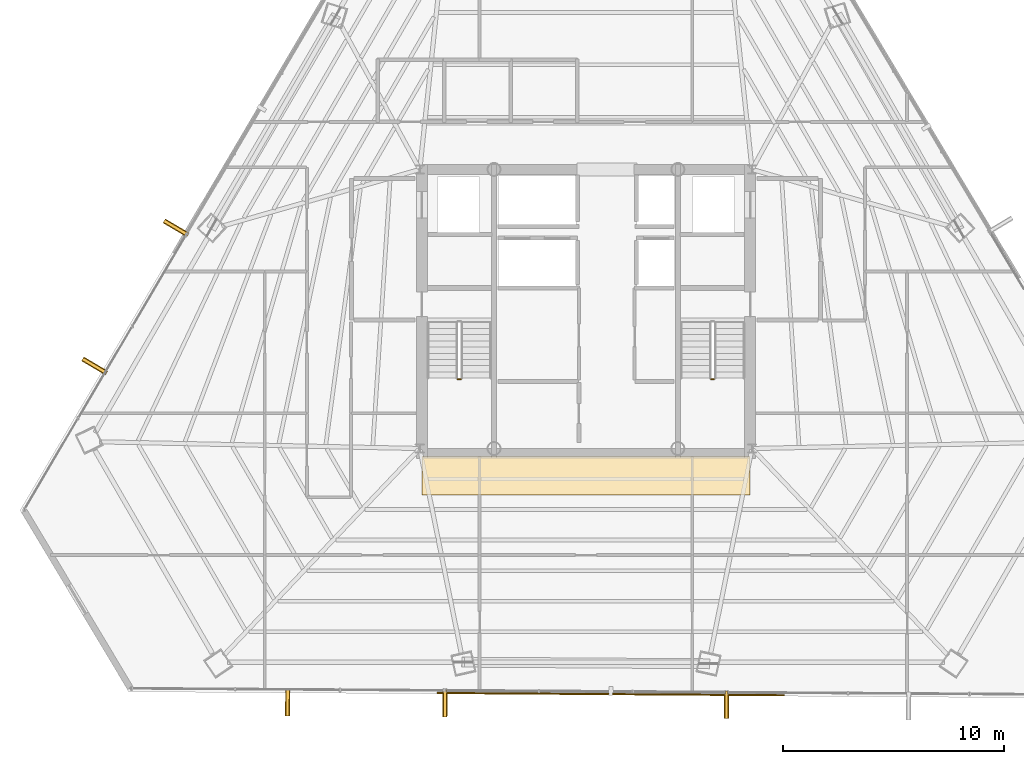
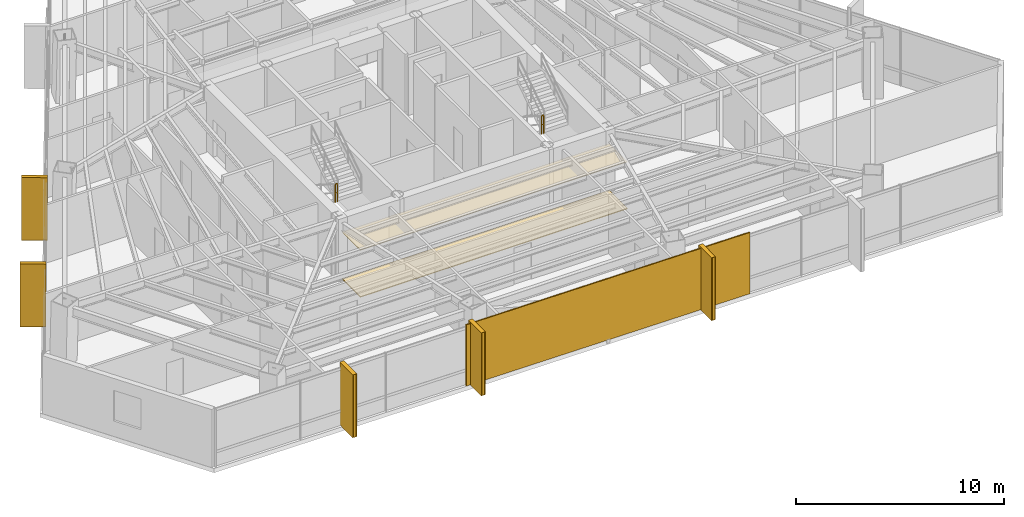
# One storey, part 39 of 41: 7 coverings, 6 shading devices, 2 railings.
"""IFC4 building model written with IfcOpenShell, lengths in metres."""

from ifc_helpers import new_model, si_unit, direction, frame, origin, origin_2d, place, context, subcontext, project, spatial, polyline, rectangle, outline, extrude, source, transform, mapped, material, layer, layer_set, type_object, type_shapes, element, save


model = new_model("IFC4")

# Units and contexts
model_context = context("Model", 3, precision=1e-05, world=origin(), true_north=direction((0.0, 1.0)))
body_context = subcontext(model_context, "Body", "Model", "MODEL_VIEW")
ifc_project = project(units=[si_unit("LENGTHUNIT", "METRE"), si_unit("AREAUNIT", "SQUARE_METRE"), si_unit("VOLUMEUNIT", "CUBIC_METRE"), si_unit("PLANEANGLEUNIT", "RADIAN"), si_unit("MASSUNIT", "GRAM", prefix="KILO")], contexts=[model_context])

# Site, building, storey
site_placement = place(None, origin())
site = spatial("IfcSite", under=ifc_project, at=site_placement, CompositionType="ELEMENT")
building_placement = place(site_placement, origin())
building = spatial("IfcBuilding", under=site, at=building_placement, Name="Caelisora Broadcast Tower", CompositionType="ELEMENT")
storey_placement = place(building_placement, frame((0.0, 0.0, 173.10009765625)))
storey = spatial("IfcBuildingStorey", under=building, at=storey_placement, Name="L45", CompositionType="ELEMENT", Elevation=173.10009765625)

# Coverings
ifc_material_1 = material(Name="Perforated Mineral-Fibre Acoustic Ceiling Tile", Category="gypsum")
ifc_layer_1 = layer(ifc_material_1, 0.034912109375, Name="Perforated Mineral-Fibre Acoustic Ceiling Tile")
ifc_layer_set_1 = layer_set([ifc_layer_1], Name="Perforated Mineral-Fibre Acoustic Ceiling Tile")
covering_type_1 = type_object("IfcCoveringType", Name="CE-1", PredefinedType="CEILING", material=ifc_layer_set_1)
covering_1_placement = place(storey_placement, frame((0.0, 0.0, 2.75)))
element("IfcCovering", 1, at=covering_1_placement, inside=storey, type_object=covering_type_1, Name="L45 acoustic corridor ceiling CE-1 (S)", PredefinedType="CEILING", context=body_context, shape_type="SweptSolid", body=[
    extrude(outline(polyline([(30.60009765625, 15.300048828125), (45.39990234375, 15.300048828125), (45.39990234375, 17.050048828125), (30.60009765625, 17.050048828125), (30.60009765625, 15.300048828125)])), origin(), (0.0, 0.0, 1.0), 0.034912109375),
])
ifc_material_2 = material(Name="Anti-Static Broadcast Raised Access Floor Panel", Category="steel")
ifc_layer_2 = layer(ifc_material_2, 0.044921875, Name="Anti-Static Broadcast Raised Access Floor Panel")
ifc_layer_set_2 = layer_set([ifc_layer_2], Name="Anti-Static Broadcast Raised Access Floor Panel")
covering_type_2 = type_object("IfcCoveringType", Name="FL-1", PredefinedType="FLOORING", material=ifc_layer_set_2)
covering_2_placement = place(storey_placement, origin())
element("IfcCovering", 2, at=covering_2_placement, inside=storey, type_object=covering_type_2, Name="L45 broadcast raised access floor FL-1 (S)", PredefinedType="FLOORING", context=body_context, shape_type="SweptSolid", body=[
    extrude(outline(polyline([(30.60009765625, 15.300048828125), (45.39990234375, 15.300048828125), (45.39990234375, 17.050048828125), (30.60009765625, 17.050048828125), (30.60009765625, 15.300048828125)])), origin(), (0.0, 0.0, 1.0), 0.044921875),
])

# Railings
ifc_material_3 = material(Name="Galvanised Steel Safety Guardrail", Category="steel")
ifc_layer_3 = layer(ifc_material_3, 0.048095703125, Name="Galvanised Steel Safety Guardrail")
ifc_layer_set_3 = layer_set([ifc_layer_3], Name="Galvanised Steel Safety Guardrail")
railing_type = type_object("IfcRailingType", Name="GR-1", PredefinedType="GUARDRAIL", material=ifc_layer_set_3)
for number, where, name in (
    (3, (32.219970703125, 20.530029296875, 1.824951171875), "L45 ST-1 stair guard 2"),
    (4, (43.659912109375, 20.530029296875, 1.824951171875), "L45 ST-2 stair guard 2"),
):
    element("IfcRailing", number, at=place(storey_placement, frame(where)), inside=storey, type_object=railing_type, Name=name, PredefinedType="GUARDRAIL", context=body_context, shape_type="SweptSolid", body=[
        extrude(rectangle(XDim=0.048095703125, YDim=0.048095703125, at=origin_2d()), frame((0.0, 0.0, 1.076171875), z_axis=(1.0, 0.0, 0.0), x_axis=(0.0, 1.0, 0.0)), (0.0, 0.0, 1.0), 0.1201171875),
        extrude(rectangle(XDim=0.03125, YDim=0.03125, at=origin_2d()), frame((0.0, 0.0, 0.550048828125), z_axis=(1.0, 0.0, 0.0), x_axis=(0.0, 1.0, 0.0)), (0.0, 0.0, 1.0), 0.1201171875),
        extrude(rectangle(XDim=0.0419921875, YDim=0.0419921875, at=origin_2d()), origin(), (0.0, 0.0, 1.0), 1.052001953125),
        extrude(rectangle(XDim=0.0419921875, YDim=0.0419921875, at=origin_2d()), frame((0.1201171875, 0.0, 0.0)), (0.0, 0.0, 1.0), 1.052001953125),
    ])

# Coverings
ifc_material_4 = material(Name="Kiln-Fired Terracotta Spandrel Rainscreen Cladding", Category="ceramic")
ifc_layer_4 = layer(ifc_material_4, 0.044921875, Name="Kiln-Fired Terracotta Spandrel Rainscreen Cladding")
ifc_layer_set_4 = layer_set([ifc_layer_4], Name="Kiln-Fired Terracotta Spandrel Rainscreen Cladding")
covering_type_3 = type_object("IfcCoveringType", Name="CL-1", PredefinedType="CLADDING", material=ifc_layer_set_4)
shared_shape_1 = source(origin(), body_context, "Body", "SweptSolid", [
    extrude(rectangle(XDim=0.219970703125, YDim=1.25, at=origin_2d()), origin(), (0.0, 0.0, 1.0), 3.68994140625),
])
type_shapes(covering_type_3, [shared_shape_1])
for number, where, z_axis, x_axis, name in (
    (5, (44.343505859375, 5.826904296875, -0.02001953125), (0.0, 0.0, 1.0), (-0.999978006703, 0.006632202536, 0.0), "L45 vertical solar fin cladding #2-2"),
    (6, (31.632568359375, 5.910888671875, -0.02001953125), (0.0, 0.0, 1.0), (-0.999978006703, 0.006632202536, 0.0), "L45 vertical solar fin cladding #2-3"),
    (7, (24.534423828125, 5.9580078125, -0.02001953125), (0.0, 0.0, 1.0), (-0.999978006703, 0.006632202536, 0.0), "L45 vertical solar fin cladding #2-4"),
    (8, (15.817138671875, 21.127685546875, -0.02001953125), (0.0, 0.0, 1.0), (0.507989441341, 0.861363295878, 0.0), "L45 vertical solar fin cladding #3-1"),
    (9, (19.493408203125, 27.360595703125, -0.02001953125), (0.0, 0.0, 1.0), (0.507989441341, 0.861363295878, 0.0), "L45 vertical solar fin cladding #3-2"),
):
    element("IfcCovering", number, at=place(storey_placement, frame(where, z_axis=z_axis, x_axis=x_axis)), inside=storey, type_object=covering_type_3, Name=name, PredefinedType="CLADDING", context=body_context, shape_type="MappedRepresentation", body=[
        mapped(shared_shape_1, transform((0.0, 0.0, 0.0), scale=1.0)),
    ])

# Shading devices
ifc_material_5 = material(Name="Extruded Terracotta Flaring Colonnade Fin", Category="ceramic")
ifc_layer_5 = layer(ifc_material_5, 0.139892578125, Name="Extruded Terracotta Flaring Colonnade Fin")
ifc_layer_set_5 = layer_set([ifc_layer_5], Name="Extruded Terracotta Flaring Colonnade Fin")
shading_device_type_1 = type_object("IfcShadingDeviceType", Name="FN-1", PredefinedType="USERDEFINED", material=ifc_layer_set_5)
shared_shape_2 = source(origin(), body_context, "Body", "SweptSolid", [
    extrude(rectangle(XDim=0.139892578125, YDim=1.25, at=origin_2d()), origin(), (0.0, 0.0, 1.0), 3.669921875),
])
type_shapes(shading_device_type_1, [shared_shape_2])
for number, where, z_axis, x_axis, name in (
    (10, (44.343505859375, 5.826904296875, -0.010009765625), (0.0, 0.0, 1.0), (-0.999978006703, 0.006632202536, 0.0), "L45 vertical terracotta fin #2-2"),
    (11, (31.632568359375, 5.910888671875, -0.010009765625), (0.0, 0.0, 1.0), (-0.999978006703, 0.006632202536, 0.0), "L45 vertical terracotta fin #2-3"),
    (12, (24.534423828125, 5.9580078125, -0.010009765625), (0.0, 0.0, 1.0), (-0.999978006703, 0.006632202536, 0.0), "L45 vertical terracotta fin #2-4"),
    (13, (15.817138671875, 21.127685546875, -0.010009765625), (0.0, 0.0, 1.0), (0.507989441341, 0.861363295878, 0.0), "L45 vertical terracotta fin #3-1"),
    (14, (19.493408203125, 27.360595703125, -0.010009765625), (0.0, 0.0, 1.0), (0.507989441341, 0.861363295878, 0.0), "L45 vertical terracotta fin #3-2"),
):
    element("IfcShadingDevice", number, at=place(storey_placement, frame(where, z_axis=z_axis, x_axis=x_axis)), inside=storey, type_object=shading_device_type_1, Name=name, ObjectType="FIN", PredefinedType="USERDEFINED", context=body_context, shape_type="MappedRepresentation", body=[
        mapped(shared_shape_2, transform((0.0, 0.0, 0.0), scale=1.0)),
    ])
ifc_material_6 = material(Name="Perforated Glazed Terracotta Baguette Solar Screen", Category="ceramic")
ifc_layer_6 = layer(ifc_material_6, 0.06494140625, Name="Perforated Glazed Terracotta Baguette Solar Screen")
ifc_layer_set_6 = layer_set([ifc_layer_6], Name="Perforated Glazed Terracotta Baguette Solar Screen")
shading_device_type_2 = type_object("IfcShadingDeviceType", Name="SS-1", PredefinedType="USERDEFINED", material=ifc_layer_set_6)
shared_shape_3 = source(origin(), body_context, "Body", "SweptSolid", [
    extrude(rectangle(XDim=15.6708984375, YDim=0.06494140625, at=origin_2d()), origin(), (0.0, 0.0, 1.0), 3.590087890625),
])
type_shapes(shading_device_type_2, [shared_shape_3])
shading_device_placement = place(storey_placement, frame((39.120361328125, 6.3115234375, 0.0), z_axis=(0.0, 0.0, 1.0), x_axis=(0.999978006703, -0.006632202536, 0.0)))
element("IfcShadingDevice", 15, at=shading_device_placement, inside=storey, type_object=shading_device_type_2, Name="L45 perforated terracotta solar screen #2", ObjectType="SOLAR SCREEN", PredefinedType="USERDEFINED", context=body_context, shape_type="MappedRepresentation", body=[
    mapped(shared_shape_3, transform((0.0, 0.0, 0.0), scale=1.0)),
])

save(model, "model.ifc")
